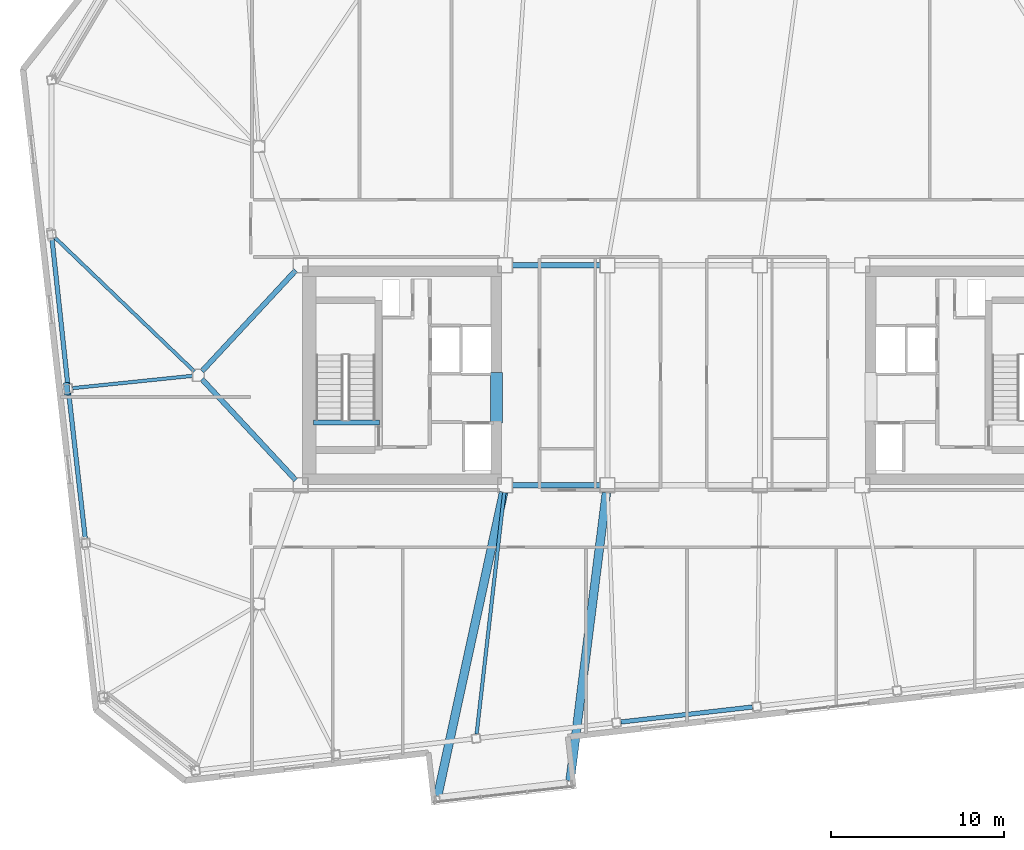
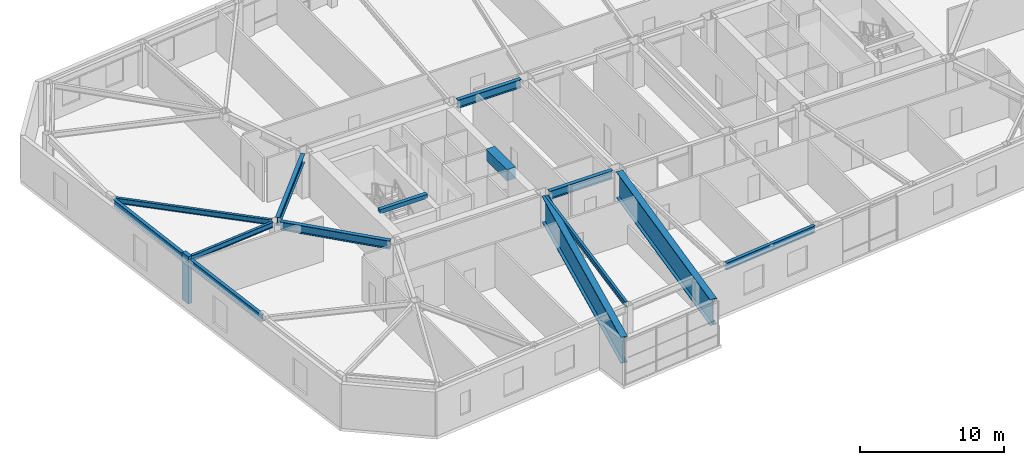
# One storey, part 6 of 19: 14 beams, 1 member.
"""IFC4 building model written with IfcOpenShell, lengths in metres."""

import ifcopenshell
import ifcopenshell.guid

model = None  # the IFC model being written
_history = None  # IfcOwnerHistory: only IFC2X3 demands one
_inside = {}  # id of a spatial element -> (the spatial element, [elements in it])
_under = {}  # id of a project, library or spatial element -> (it, [spatial elements below it])
_declared = {}  # id of a project -> (the project, [libraries it declares])
_typed = {}  # id of a type object -> (the type object, [elements of that type])
_made_of = {}  # id of a material, layer set ... -> (it, [elements and type objects made of it])


def new_model(schema):
    """Start an empty IFC model of exactly this schema.

    Asked for "IFC4X3", IfcOpenShell would pick the latest addendum, in which some entities
    have other attributes; the version numbers below select the first issue.
    IFC2X3 requires an IfcOwnerHistory on every rooted entity: one is made here for all.
    """
    global model, _history
    if schema == "IFC4X3":
        model = ifcopenshell.file(schema_version=(4, 3, 0, 0))
    else:
        model = ifcopenshell.file(schema=schema)
    _inside.clear()
    _under.clear()
    _declared.clear()
    _typed.clear()
    _made_of.clear()
    _history = None
    if model.schema == "IFC2X3":
        org = make("IfcOrganization", Name="unknown")
        user = make(
            "IfcPersonAndOrganization",
            ThePerson=make("IfcPerson", FamilyName="unknown"),
            TheOrganization=org,
        )
        app = make(
            "IfcApplication",
            ApplicationDeveloper=org,
            Version="unknown",
            ApplicationFullName="unknown",
            ApplicationIdentifier="unknown",
        )
        _history = make(
            "IfcOwnerHistory",
            OwningUser=user,
            OwningApplication=app,
            ChangeAction="ADDED",
            CreationDate=0,
        )
    return model


def make(cls, **values):
    """One entity of the class cls with the attributes given. An attribute that is None is left unset."""
    return model.create_entity(
        cls, **{name: value for name, value in values.items() if value is not None}
    )


def rooted(cls, **values):
    """An entity with a GlobalId (a new one), such as an element, a storey or a relation."""
    return make(cls, GlobalId=ifcopenshell.guid.new(), OwnerHistory=_history, **values)


def si_unit(unit_type, name, prefix=None):
    """IfcSIUnit, for example si_unit("LENGTHUNIT", "METRE", prefix="MILLI")."""
    return make("IfcSIUnit", UnitType=unit_type, Prefix=prefix, Name=name)


def assignment(units):
    """IfcUnitAssignment: the units of a project."""
    return None if units is None else make("IfcUnitAssignment", Units=units)


def point(xyz):
    """IfcCartesianPoint."""
    return None if xyz is None else make("IfcCartesianPoint", Coordinates=xyz)


def direction(xyz):
    """IfcDirection."""
    return None if xyz is None else make("IfcDirection", DirectionRatios=xyz)


def frame(location, z_axis=None, x_axis=None):
    """IfcAxis2Placement3D, a coordinate frame: its origin and axes. An axis left out is left unset."""
    return make(
        "IfcAxis2Placement3D",
        Location=point(location),
        Axis=direction(z_axis),
        RefDirection=direction(x_axis),
    )


def frame_2d(location, x_axis=None):
    """IfcAxis2Placement2D, a coordinate frame in the plane: its origin and x axis."""
    return make(
        "IfcAxis2Placement2D", Location=point(location), RefDirection=direction(x_axis)
    )


def origin():
    """The frame at (0, 0, 0) with its axes left unset."""
    return frame((0.0, 0.0, 0.0))


def origin_2d():
    """The frame at (0, 0) in the plane with its x axis left unset."""
    return frame_2d((0.0, 0.0))


def place(relative_to, where):
    """IfcLocalPlacement: puts the frame where relative to a parent placement (None: the world)."""
    return make(
        "IfcLocalPlacement", PlacementRelTo=relative_to, RelativePlacement=where
    )


def context(
    kind, dimensions, precision=None, world=None, true_north=None, identifier=None
):
    """IfcGeometricRepresentationContext, for example the 3D "Model" context."""
    return make(
        "IfcGeometricRepresentationContext",
        ContextIdentifier=identifier,
        ContextType=kind,
        CoordinateSpaceDimension=dimensions,
        Precision=precision,
        WorldCoordinateSystem=world,
        TrueNorth=true_north,
    )


def subcontext(parent, identifier, kind, view, scale=None):
    """IfcGeometricRepresentationSubContext, for example "Body" below "Model"."""
    return make(
        "IfcGeometricRepresentationSubContext",
        ContextIdentifier=identifier,
        ContextType=kind,
        ParentContext=parent,
        TargetScale=scale,
        TargetView=view,
    )


def project(units=None, contexts=None):
    """IfcProject with its units and contexts."""
    return rooted(
        "IfcProject",
        Name="project",
        RepresentationContexts=contexts,
        UnitsInContext=assignment(units),
    )


def spatial(cls, under=None, at=None, **own):
    """A site, building, storey or space (cls), placed at a placement, below another one or the project."""
    s = rooted(cls, ObjectPlacement=at, **own)
    if under is not None:
        _under.setdefault(under.id(), (under, []))[1].append(s)
    return s


def profile(cls, at=None, kind="AREA", **sizes):
    """A parametric profile (cls). Its sizes go by their IFC names, for example OverallWidth=200.0."""
    return make(cls, ProfileType=kind, Position=at, **sizes)


def rectangle(**sizes):
    """IfcRectangleProfileDef."""
    return profile("IfcRectangleProfileDef", **sizes)


def i_section(**sizes):
    """IfcIShapeProfileDef."""
    return profile("IfcIShapeProfileDef", **sizes)


def extrude(swept, where, along, depth):
    """IfcExtrudedAreaSolid: the profile swept, set in the frame where, extruded along a direction by depth."""
    return make(
        "IfcExtrudedAreaSolid",
        SweptArea=swept,
        Position=where,
        ExtrudedDirection=direction(along),
        Depth=depth,
    )


def shape(context_of_items, identifier, shape_type, items):
    """IfcShapeRepresentation: the items that make up one representation, for example the "Body"."""
    return make(
        "IfcShapeRepresentation",
        ContextOfItems=context_of_items,
        RepresentationIdentifier=identifier,
        RepresentationType=shape_type,
        Items=items,
    )


def material(Name=None, Category=None):
    """IfcMaterial."""
    return make("IfcMaterial", Name=Name, Category=Category)


def material_profile(
    of_material, cross_section, Name=None, Category=None, Priority=None
):
    """IfcMaterialProfile: a cross section and its material."""
    return make(
        "IfcMaterialProfile",
        Name=Name,
        Material=of_material,
        Profile=cross_section,
        Priority=Priority,
        Category=Category,
    )


def profile_set(profiles, Name=None, composite=None):
    """IfcMaterialProfileSet."""
    return make(
        "IfcMaterialProfileSet",
        Name=Name,
        MaterialProfiles=profiles,
        CompositeProfile=composite,
    )


def made_of(thing, what):
    """Note that an element or type object is made of a material, layer set ...; save() writes the relation."""
    if what is not None:
        _made_of.setdefault(what.id(), (what, []))[1].append(thing)
    return thing


def type_object(cls, material=None, **own):
    """A type object (cls), such as IfcWallType, which elements share."""
    return made_of(rooted(cls, **own), material)


def element(
    cls,
    number,
    at=None,
    inside=None,
    cuts=None,
    type_object=None,
    material=None,
    context=None,
    identifier="Body",
    shape_type=None,
    held_by="IfcProductDefinitionShape",
    body=None,
    shapes=None,
    **own,
):
    """One element of the class cls, such as IfcWall. Its Tag is "e" and its number.

    at: its placement. inside: the storey or other place that contains it. cuts: it is an
    opening in that element (IfcRelVoidsElement). A single representation is given by context,
    identifier, shape_type and body (its items); several are given by shapes. held_by: the class
    of the entity that holds the representations. save() writes the other relations.
    """
    e = rooted(cls, Tag="e%d" % number, ObjectPlacement=at, **own)
    if body is not None:
        shapes = [shape(context, identifier, shape_type, body)]
    if shapes is not None:
        e.Representation = make(held_by, Representations=shapes)
    if inside is not None:
        _inside.setdefault(inside.id(), (inside, []))[1].append(e)
    if cuts is not None:
        rooted(
            "IfcRelVoidsElement", RelatingBuildingElement=cuts, RelatedOpeningElement=e
        )
    if type_object is not None:
        _typed.setdefault(type_object.id(), (type_object, []))[1].append(e)
    return made_of(e, material)


def aggregate(whole, parts):
    """IfcRelAggregates: a whole, such as a stair, and the parts it consists of."""
    return rooted("IfcRelAggregates", RelatingObject=whole, RelatedObjects=parts)


def save(model, path):
    """Write the relations noted so far, then the file.

    IfcRelAggregates (storeys below a building ...), IfcRelContainedInSpatialStructure (elements
    in a storey), IfcRelDefinesByType, IfcRelAssociatesMaterial and IfcRelDeclares: one each for
    every whole, place, type object, material and project.
    """
    for whole, parts in _under.values():
        aggregate(whole, parts)
    for where, things in _inside.values():
        rooted(
            "IfcRelContainedInSpatialStructure",
            RelatedElements=things,
            RelatingStructure=where,
        )
    for kind, things in _typed.values():
        rooted("IfcRelDefinesByType", RelatedObjects=things, RelatingType=kind)
    for what, things in _made_of.values():
        rooted("IfcRelAssociatesMaterial", RelatedObjects=things, RelatingMaterial=what)
    for by, libraries in _declared.values():
        rooted("IfcRelDeclares", RelatingContext=by, RelatedDefinitions=libraries)
    model.write(path)


model = new_model("IFC4")

# Units and contexts
model_context = context("Model", 3, precision=1e-05, world=origin(), true_north=direction((0.0, 1.0)))
body_context = subcontext(model_context, "Body", "Model", "MODEL_VIEW")
ifc_project = project(units=[si_unit("LENGTHUNIT", "METRE"), si_unit("AREAUNIT", "SQUARE_METRE"), si_unit("VOLUMEUNIT", "CUBIC_METRE"), si_unit("PLANEANGLEUNIT", "RADIAN"), si_unit("MASSUNIT", "GRAM", prefix="KILO")], contexts=[model_context])

# Site, building, storey
site_placement = place(None, origin())
site = spatial("IfcSite", under=ifc_project, at=site_placement, CompositionType="ELEMENT")
building_placement = place(site_placement, origin())
building = spatial("IfcBuilding", under=site, at=building_placement, Name="Tavrogorsk Clinical Tower", CompositionType="ELEMENT")
storey_placement = place(building_placement, frame((0.0, 0.0, 218.199951171875)))
storey = spatial("IfcBuildingStorey", under=building, at=storey_placement, Name="L50", CompositionType="ELEMENT", Elevation=218.199951171875)

# Beams
ifc_material_1 = material(Name="Concrete B80", Category="concrete")
ifc_material_profile_1 = material_profile(ifc_material_1, rectangle(XDim=0.699951171875, YDim=0.949951171875, at=origin_2d()), Name="RC-CB-700x950")
ifc_profile_set_1 = profile_set([ifc_material_profile_1], Name="Concrete B80")
beam_type_1 = type_object("IfcBeamType", Name="CouplingBeam_RC700x950", PredefinedType="LINTEL", material=ifc_profile_set_1)
beam_1_placement = place(storey_placement, frame((-10.800048828125, -2.75, 3.26513671875), z_axis=(0.0, 1.0, 0.0), x_axis=(-1.0, 0.0, 0.0)))
element("IfcBeam", 1, at=beam_1_placement, inside=storey, type_object=beam_type_1, Name="L50 Core West Coupling Beam", PredefinedType="LINTEL", context=body_context, shape_type="SweptSolid", body=[
    extrude(rectangle(XDim=0.699951171875, YDim=0.949951171875, at=origin_2d()), origin(), (0.0, 0.0, 1.0), 2.89990234375),
])
ifc_material_2 = material(Name="Structural steel S355", Category="steel")
ifc_material_profile_2 = material_profile(ifc_material_2, i_section(OverallWidth=0.199951171875, OverallDepth=0.449951171875, WebThickness=0.011474609375, FlangeThickness=0.01806640625, at=origin_2d()), Name="B-450x200x11.5x18")
ifc_profile_set_2 = profile_set([ifc_material_profile_2], Name="Structural steel S355")
beam_type_2 = type_object("IfcBeamType", Name="FloorBeam_B450", PredefinedType="BEAM", material=ifc_profile_set_2)
beam_2_placement = place(storey_placement, frame((-10.3466796875, -6.75732421875, 3.51513671875), z_axis=(-0.113747243442, -0.99350972044, 0.0), x_axis=(0.99350972044, -0.113747243442, 0.0)))
element("IfcBeam", 2, at=beam_2_placement, inside=storey, type_object=beam_type_2, Name="L50 Radial Floor Beam S3", PredefinedType="BEAM", context=body_context, shape_type="SweptSolid", body=[
    extrude(i_section(OverallWidth=0.199951171875, OverallDepth=0.449951171875, WebThickness=0.011474609375, FlangeThickness=0.01806640625, at=origin_2d()), origin(), (0.0, 0.0, 1.0), 14.034912109375),
])
beam_3_placement = place(storey_placement, frame((-28.2236328125, 0.214599609375, 3.51513671875), z_axis=(-0.721413519982, 0.692504536582, 0.0), x_axis=(-0.692504536582, -0.721413519982, 0.0)))
element("IfcBeam", 3, at=beam_3_placement, inside=storey, type_object=beam_type_2, Name="L50 Radial Floor Beam W2", PredefinedType="BEAM", context=body_context, shape_type="SweptSolid", body=[
    extrude(i_section(OverallWidth=0.199951171875, OverallDepth=0.449951171875, WebThickness=0.011474609375, FlangeThickness=0.01806640625, at=origin_2d()), origin(), (0.0, 0.0, 1.0), 11.1728515625),
])
beam_4_placement = place(storey_placement, frame((-28.308349609375, -0.03173828125, 3.51513671875), z_axis=(-0.994752624307, -0.102309415177, 0.0), x_axis=(0.102309415177, -0.994752624307, 0.0)))
element("IfcBeam", 4, at=beam_4_placement, inside=storey, type_object=beam_type_2, Name="L50 Radial Floor Beam W3", PredefinedType="BEAM", context=body_context, shape_type="SweptSolid", body=[
    extrude(i_section(OverallWidth=0.199951171875, OverallDepth=0.449951171875, WebThickness=0.011474609375, FlangeThickness=0.01806640625, at=origin_2d()), origin(), (0.0, 0.0, 1.0), 6.9775390625),
])

# Member
ifc_material_3 = material(Name="Precast concrete B45 with limestone cladding", Category="masonry")
ifc_material_profile_3 = material_profile(ifc_material_3, rectangle(XDim=0.320068359375, YDim=0.719970703125, at=origin_2d()), Name="LIMESTONE-FIN-320x720")
ifc_profile_set_3 = profile_set([ifc_material_profile_3], Name="Precast concrete B45 with limestone cladding")
member_type = type_object("IfcMemberType", Name="LimestonePleatFin_320x720", PredefinedType="USERDEFINED", material=ifc_profile_set_3)
member_placement = place(storey_placement, frame((-35.585205078125, -0.781005859375, 0.0), z_axis=(0.0, 0.0, 1.0), x_axis=(0.993571855677, 0.113203213768, 0.0)))
element("IfcMember", 5, at=member_placement, inside=storey, type_object=member_type, Name="L50 W Pleated Stone Fin 2", ObjectType="FIN", PredefinedType="USERDEFINED", context=body_context, shape_type="SweptSolid", body=[
    extrude(rectangle(XDim=0.320068359375, YDim=0.719970703125, at=origin_2d()), origin(), (0.0, 0.0, 1.0), 4.0),
])

# Beams
ifc_material_4 = material(Name="Structural steel S390", Category="steel")
ifc_material_profile_4 = material_profile(ifc_material_4, i_section(OverallWidth=0.300048828125, OverallDepth=0.699951171875, WebThickness=0.01708984375, FlangeThickness=0.028076171875, at=origin_2d()), Name="B-700x300x17x28")
ifc_profile_set_4 = profile_set([ifc_material_profile_4], Name="Structural steel S390")
beam_type_3 = type_object("IfcBeamType", Name="PrimaryGirder_B700", PredefinedType="USERDEFINED", material=ifc_profile_set_4)
for number, where, z_axis, x_axis, name in (
    (6, (-9.889892578125, -6.35009765625, 3.39013671875), (1.0, 0.0, 0.0), (0.0, 1.0, 0.0), "L50 Primary Spine Girder MG-01"),
    (7, (-9.889892578125, 6.35009765625, 3.39013671875), (1.0, 0.0, 0.0), (0.0, 1.0, 0.0), "L50 Primary Spine Girder MG-02"),
):
    element("IfcBeam", number, at=place(storey_placement, frame(where, z_axis=z_axis, x_axis=x_axis)), inside=storey, type_object=beam_type_3, Name=name, ObjectType="GIRDER", PredefinedType="USERDEFINED", context=body_context, shape_type="SweptSolid", body=[
        extrude(i_section(OverallWidth=0.300048828125, OverallDepth=0.699951171875, WebThickness=0.01708984375, FlangeThickness=0.028076171875, at=origin_2d()), origin(), (0.0, 0.0, 1.0), 5.079833984375),
    ])
for number, where, z_axis, x_axis, name in (
    (8, (-27.7890625, -0.22705078125, 3.39013671875), (0.680673750312, -0.732586681312, 0.0), (0.732586681312, 0.680673750312, 0.0), "L50 Spine Link Girder OPG-5"),
    (9, (-27.7890625, 0.22705078125, 3.39013671875), (0.680673750312, 0.732586681312, 0.0), (-0.732586681312, 0.680673750312, 0.0), "L50 Spine Link Girder OPG-6"),
):
    element("IfcBeam", number, at=place(storey_placement, frame(where, z_axis=z_axis, x_axis=x_axis)), inside=storey, type_object=beam_type_3, Name=name, ObjectType="GIRDER", PredefinedType="USERDEFINED", context=body_context, shape_type="SweptSolid", body=[
        extrude(i_section(OverallWidth=0.300048828125, OverallDepth=0.699951171875, WebThickness=0.01708984375, FlangeThickness=0.028076171875, at=origin_2d()), origin(), (0.0, 0.0, 1.0), 7.947998046875),
    ])
ifc_material_5 = material(Name="Structural steel S390", Category="steel")
ifc_material_profile_5 = material_profile(ifc_material_5, i_section(OverallWidth=0.260009765625, OverallDepth=0.60009765625, WebThickness=0.014892578125, FlangeThickness=0.02392578125, at=origin_2d()), Name="B-600x260x15x24")
ifc_profile_set_5 = profile_set([ifc_material_profile_5], Name="Structural steel S390")
beam_type_4 = type_object("IfcBeamType", Name="SpandrelBeam_B600", PredefinedType="SPANDREL", material=ifc_profile_set_5)
beam_5_placement = place(storey_placement, frame((-3.619873046875, -20.006103515625, 3.43994140625), z_axis=(0.993568911788, 0.113229048956, 0.0), x_axis=(-0.113229048956, 0.993568911788, 0.0)))
element("IfcBeam", 10, at=beam_5_placement, inside=storey, type_object=beam_type_4, Name="L50 Perimeter Spandrel S4-S5", PredefinedType="SPANDREL", context=body_context, shape_type="SweptSolid", body=[
    extrude(i_section(OverallWidth=0.260009765625, OverallDepth=0.60009765625, WebThickness=0.014892578125, FlangeThickness=0.02392578125, at=origin_2d()), origin(), (0.0, 0.0, 1.0), 7.6328125),
])
beam_6_placement = place(storey_placement, frame((-36.442138671875, 7.8740234375, 3.43994140625), z_axis=(0.107655746314, -0.994188231818, 0.0), x_axis=(0.994188231818, 0.107655746314, 0.0)))
element("IfcBeam", 11, at=beam_6_placement, inside=storey, type_object=beam_type_4, Name="L50 Perimeter Spandrel W2-W3", PredefinedType="SPANDREL", context=body_context, shape_type="SweptSolid", body=[
    extrude(i_section(OverallWidth=0.260009765625, OverallDepth=0.60009765625, WebThickness=0.014892578125, FlangeThickness=0.02392578125, at=origin_2d()), origin(), (0.0, 0.0, 1.0), 8.4384765625),
])
beam_7_placement = place(storey_placement, frame((-35.4765625, -1.0283203125, 3.43994140625), z_axis=(0.113195129234, -0.99357277676, 0.0), x_axis=(0.99357277676, 0.113195129234, 0.0)))
element("IfcBeam", 12, at=beam_7_placement, inside=storey, type_object=beam_type_4, Name="L50 Perimeter Spandrel W3-W4", PredefinedType="SPANDREL", context=body_context, shape_type="SweptSolid", body=[
    extrude(i_section(OverallWidth=0.260009765625, OverallDepth=0.60009765625, WebThickness=0.014892578125, FlangeThickness=0.02392578125, at=origin_2d()), origin(), (0.0, 0.0, 1.0), 8.44384765625),
])
ifc_material_6 = material(Name="Concrete B60", Category="concrete")
ifc_material_profile_6 = material_profile(ifc_material_6, rectangle(XDim=0.300048828125, YDim=0.35009765625, at=origin_2d()), Name="RC-SHB-300x350")
ifc_profile_set_6 = profile_set([ifc_material_profile_6], Name="Concrete B60")
beam_type_5 = type_object("IfcBeamType", Name="StairHeaderBeam_RC300x350", PredefinedType="BEAM", material=ifc_profile_set_6)
beam_8_placement = place(storey_placement, frame((-21.35009765625, -2.719970703125, 3.824951171875), z_axis=(1.0, 0.0, 0.0), x_axis=(0.0, 1.0, 0.0)))
element("IfcBeam", 13, at=beam_8_placement, inside=storey, type_object=beam_type_5, Name="L51 ST-W Landing Header Beam", PredefinedType="BEAM", context=body_context, shape_type="SweptSolid", body=[
    extrude(rectangle(XDim=0.300048828125, YDim=0.35009765625, at=origin_2d()), origin(), (0.0, 0.0, 1.0), 3.800048828125),
])
ifc_material_7 = material(Name="Structural steel S440", Category="steel")
ifc_material_profile_7 = material_profile(ifc_material_7, i_section(OverallWidth=0.5, OverallDepth=2.199951171875, WebThickness=0.035888671875, FlangeThickness=0.054931640625, at=origin_2d()), Name="DK-2200x500x36x55")
ifc_profile_set_7 = profile_set([ifc_material_profile_7], Name="Structural steel S440")
beam_type_6 = type_object("IfcBeamType", Name="TransferGirder_DK2200", PredefinedType="USERDEFINED", material=ifc_profile_set_7)
beam_9_placement = place(storey_placement, frame((-10.386962890625, -6.750732421875, 2.64013671875), z_axis=(-0.212199068072, -0.977226460709, 0.0), x_axis=(0.977226460709, -0.212199068072, 0.0)))
element("IfcBeam", 14, at=beam_9_placement, inside=storey, type_object=beam_type_6, Name="L50 Day-Room Cantilever Beam DRB-07-L", ObjectType="GIRDER", PredefinedType="USERDEFINED", context=body_context, shape_type="SweptSolid", body=[
    extrude(i_section(OverallWidth=0.5, OverallDepth=2.199951171875, WebThickness=0.035888671875, FlangeThickness=0.054931640625, at=origin_2d()), origin(), (0.0, 0.0, 1.0), 17.935546875),
])
beam_10_placement = place(storey_placement, frame((-4.451416015625, -6.7568359375, 2.64013671875), z_axis=(-0.125332928117, -0.992114739901, 0.0), x_axis=(0.992114739901, -0.125332928117, 0.0)))
element("IfcBeam", 15, at=beam_10_placement, inside=storey, type_object=beam_type_6, Name="L50 Day-Room Cantilever Beam DRB-07-R", ObjectType="GIRDER", PredefinedType="USERDEFINED", context=body_context, shape_type="SweptSolid", body=[
    extrude(i_section(OverallWidth=0.5, OverallDepth=2.199951171875, WebThickness=0.035888671875, FlangeThickness=0.054931640625, at=origin_2d()), origin(), (0.0, 0.0, 1.0), 16.779541015625),
])

save(model, "model.ifc")
